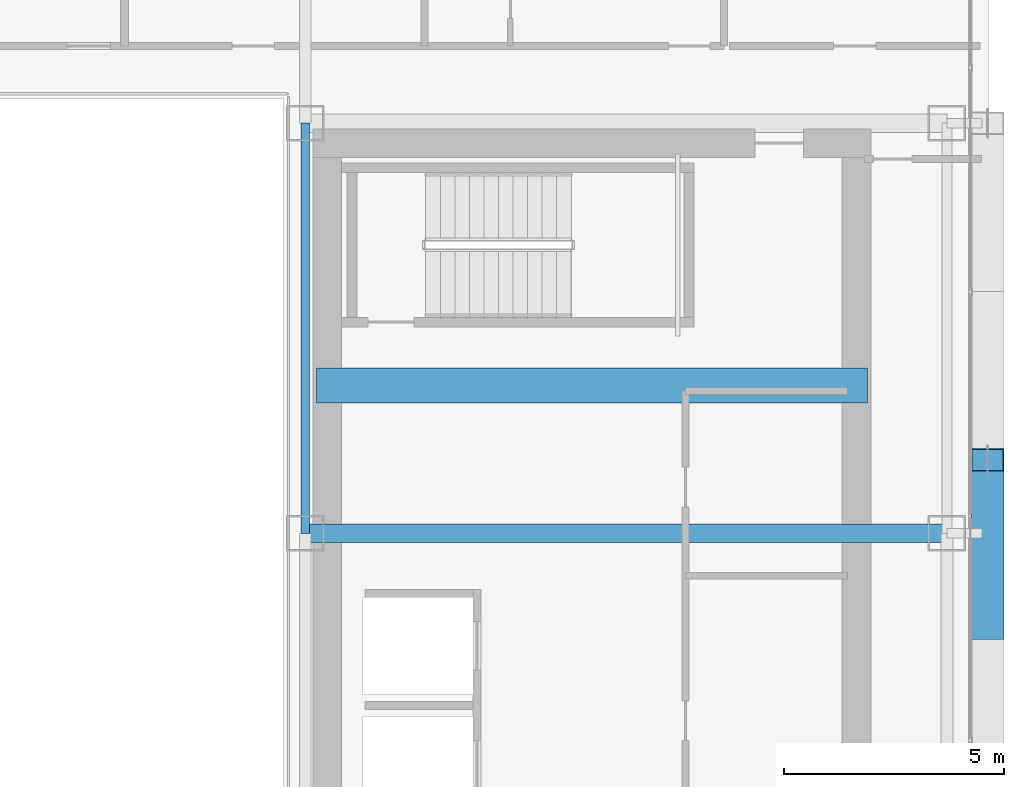
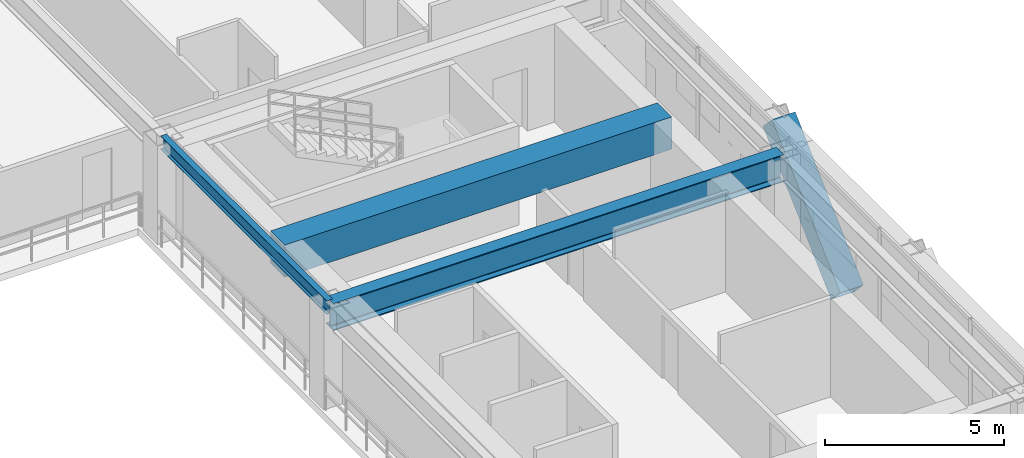
# One storey, part 14 of 35: 3 beams, 1 member.
"""IFC4 building model written with IfcOpenShell, lengths in metres."""

from ifc_helpers import new_model, si_unit, direction, frame, origin, origin_2d, place, context, subcontext, project, spatial, rectangle, hollow_rectangle, i_section, extrude, source, transform, mapped, material, material_profile, profile_set, type_object, element, save


model = new_model("IFC4")

# Units and contexts
model_context = context("Model", 3, precision=1e-05, world=origin(), true_north=direction((0.0, 1.0)))
body_context = subcontext(model_context, "Body", "Model", "MODEL_VIEW")
ifc_project = project(units=[si_unit("LENGTHUNIT", "METRE"), si_unit("AREAUNIT", "SQUARE_METRE"), si_unit("VOLUMEUNIT", "CUBIC_METRE"), si_unit("PLANEANGLEUNIT", "RADIAN"), si_unit("MASSUNIT", "GRAM", prefix="KILO")], contexts=[model_context])

# Site, building, storey
site_placement = place(None, origin())
site = spatial("IfcSite", under=ifc_project, at=site_placement, CompositionType="ELEMENT")
building_placement = place(site_placement, origin())
building = spatial("IfcBuilding", under=site, at=building_placement, Name="Ocotamira Hotel", CompositionType="ELEMENT")
storey_placement = place(building_placement, frame((0.0, 0.0, 115.199951171875)))
storey = spatial("IfcBuildingStorey", under=building, at=storey_placement, Name="L28", CompositionType="ELEMENT", Elevation=115.199951171875)

# Beams
ifc_material_1 = material(Name="Concrete C60/75", Category="concrete")
ifc_material_profile_1 = material_profile(ifc_material_1, rectangle(XDim=0.800048828125, YDim=1.10009765625, at=origin_2d()), Name="RC800X1100")
ifc_profile_set_1 = profile_set([ifc_material_profile_1], Name="Concrete C60/75")
beam_type_1 = type_object("IfcBeamType", Name="BM-LINK-RC800", PredefinedType="LINTEL", material=ifc_profile_set_1)
shared_shape_1 = source(origin(), body_context, "Body", "SweptSolid", [
    extrude(rectangle(XDim=0.800048828125, YDim=1.10009765625, at=origin_2d()), origin(), (0.0, 0.0, 1.0), 12.5),
])
beam_1_placement = place(storey_placement, frame((40.75, 31.5, 2.81005859375), z_axis=(1.0, 0.0, 0.0), x_axis=(0.0, 1.0, 0.0)))
element("IfcBeam", 1, at=beam_1_placement, inside=storey, type_object=beam_type_1, Name="L28 East Core Coupling Beam", PredefinedType="LINTEL", context=body_context, shape_type="MappedRepresentation", body=[
    mapped(shared_shape_1, transform((0.0, 0.0, 0.0), scale=1.0)),
])
ifc_material_2 = material(Name="Steel ASTM A992 Grade 50", Category="steel")
ifc_material_profile_2 = material_profile(ifc_material_2, i_section(OverallWidth=0.41796875, OverallDepth=0.927001953125, WebThickness=0.019287109375, FlangeThickness=0.031982421875, FilletRadius=0.02392578125, at=origin_2d()), Name="W36X231")
ifc_profile_set_2 = profile_set([ifc_material_profile_2], Name="Steel ASTM A992 Grade 50")
beam_type_2 = type_object("IfcBeamType", Name="BM-GIRD-W36X231", PredefinedType="BEAM", material=ifc_profile_set_2)
shared_shape_2 = source(origin(), body_context, "Body", "SweptSolid", [
    extrude(i_section(OverallWidth=0.41796875, OverallDepth=0.927001953125, WebThickness=0.019287109375, FlangeThickness=0.031982421875, FilletRadius=0.02392578125, at=origin_2d()), origin(), (0.0, 0.0, 1.0), 14.550048828125),
])
beam_2_placement = place(storey_placement, frame((40.5, 28.14990234375, 2.896484375), z_axis=(1.0, 0.0, 0.0), x_axis=(0.0, 1.0, 0.0)))
element("IfcBeam", 2, at=beam_2_placement, inside=storey, type_object=beam_type_2, Name="L28 Girder Y28.15 X40.5-55.05", PredefinedType="BEAM", context=body_context, shape_type="MappedRepresentation", body=[
    mapped(shared_shape_2, transform((0.0, 0.0, 0.0), scale=1.0)),
])
ifc_material_profile_3 = material_profile(ifc_material_2, i_section(OverallWidth=0.18994140625, OverallDepth=0.45703125, WebThickness=0.009033203125, FlangeThickness=0.014404296875, FilletRadius=0.010009765625, at=origin_2d()), Name="W18X50")
ifc_profile_set_3 = profile_set([ifc_material_profile_3], Name="Steel ASTM A992 Grade 50")
beam_type_3 = type_object("IfcBeamType", Name="BM-SEC-W18X50", PredefinedType="JOIST", material=ifc_profile_set_3)
shared_shape_3 = source(origin(), body_context, "Body", "SweptSolid", [
    extrude(i_section(OverallWidth=0.18994140625, OverallDepth=0.45703125, WebThickness=0.009033203125, FlangeThickness=0.014404296875, FilletRadius=0.010009765625, at=origin_2d()), origin(), (0.0, 0.0, 1.0), 9.300048828125),
])
beam_3_placement = place(storey_placement, frame((40.5, 28.14990234375, 3.131591796875), z_axis=(0.0, 1.0, 0.0), x_axis=(-1.0, 0.0, 0.0)))
element("IfcBeam", 3, at=beam_3_placement, inside=storey, type_object=beam_type_3, Name="L28 Beam X40.5 Y28.15-37.45", PredefinedType="JOIST", context=body_context, shape_type="MappedRepresentation", body=[
    mapped(shared_shape_3, transform((0.0, 0.0, 0.0), scale=1.0)),
])

# Member
ifc_material_3 = material(Name="Pale-metal coated steel ASTM A913 Grade 65", Category="steel")
ifc_material_profile_4 = material_profile(ifc_material_3, hollow_rectangle(XDim=0.75, YDim=0.75, WallThickness=0.028076171875, at=origin_2d()), Name="BOX750X750X28")
ifc_profile_set_4 = profile_set([ifc_material_profile_4], Name="Pale-metal coated steel ASTM A913 Grade 65")
member_type = type_object("IfcMemberType", Name="MEM-EXO-BOX750", PredefinedType="BRACE", material=ifc_profile_set_4)
shared_shape_4 = source(origin(), body_context, "Body", "SweptSolid", [
    extrude(hollow_rectangle(XDim=0.75, YDim=0.75, WallThickness=0.028076171875, at=origin_2d()), origin(), (0.0, 0.0, 1.0), 5.24658203125),
])
member_placement = place(storey_placement, frame((55.969970703125, 26.0, -0.489990234375), z_axis=(0.0, 0.727442733726, 0.686168397078), x_axis=(-1.0, 0.0, 0.0)))
element("IfcMember", 4, at=member_placement, inside=storey, type_object=member_type, Name="L28 Exoskeleton Diagrid E1.2", PredefinedType="BRACE", context=body_context, shape_type="MappedRepresentation", body=[
    mapped(shared_shape_4, transform((0.0, 0.0, 0.0), scale=1.0)),
])

save(model, "model.ifc")
